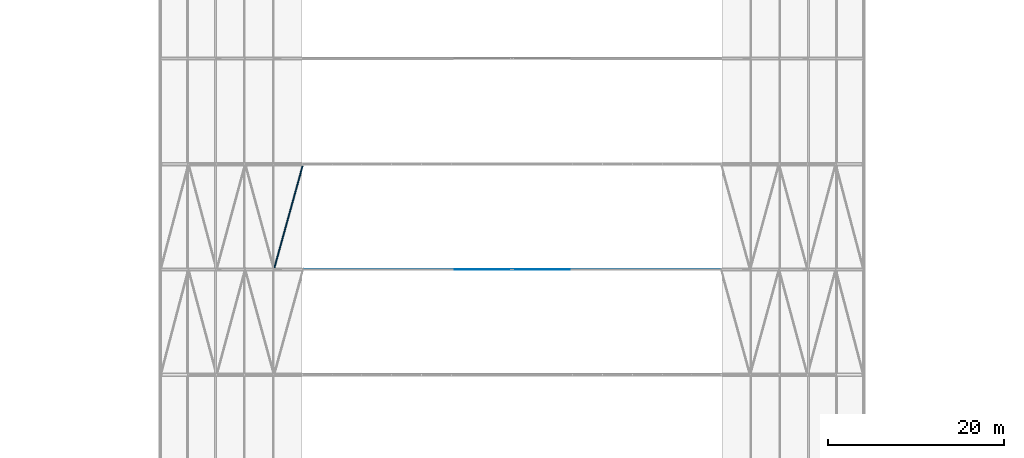
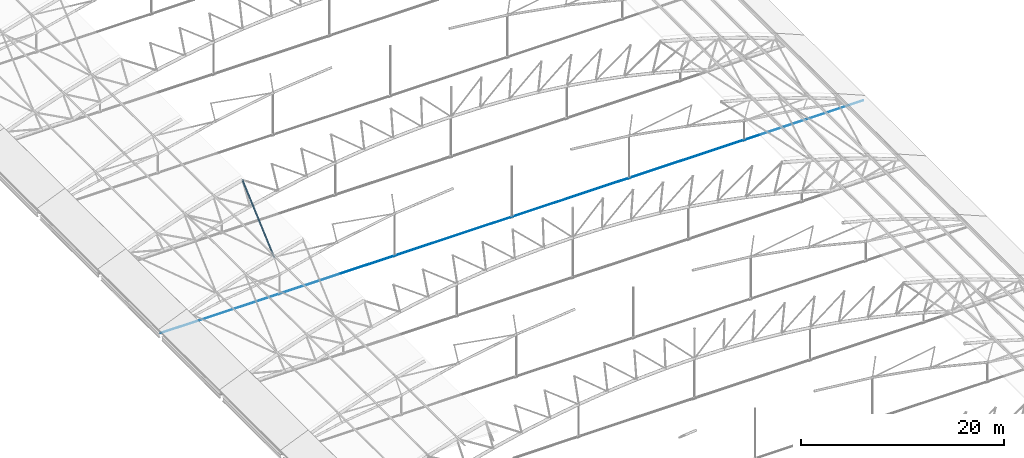
# One storey, part 81 of 321: 2 members.
"""IFC4 building model written with IfcOpenShell, lengths in metres."""

from ifc_helpers import new_model, si_unit, direction, frame, origin, origin_2d, place, context, subcontext, project, spatial, circle, hollow_circle, extrude, material, material_profile, profile_set, type_object, element, save


model = new_model("IFC4")

# Units and contexts
model_context = context("Model", 3, precision=1e-05, world=origin(), true_north=direction((0.0, 1.0)))
body_context = subcontext(model_context, "Body", "Model", "MODEL_VIEW")
ifc_project = project(units=[si_unit("LENGTHUNIT", "METRE"), si_unit("AREAUNIT", "SQUARE_METRE"), si_unit("VOLUMEUNIT", "CUBIC_METRE"), si_unit("PLANEANGLEUNIT", "RADIAN"), si_unit("MASSUNIT", "GRAM", prefix="KILO")], contexts=[model_context])

# Site, building, storey
site_placement = place(None, origin())
site = spatial("IfcSite", under=ifc_project, at=site_placement, CompositionType="ELEMENT")
building_placement = place(site_placement, origin())
building = spatial("IfcBuilding", under=site, at=building_placement, Name="Ravi Spectrum Wholesale Market", CompositionType="ELEMENT")
storey_placement = place(building_placement, frame((0.0, 0.0, 10.800048828125)))
storey = spatial("IfcBuildingStorey", under=building, at=storey_placement, Name="L02", CompositionType="ELEMENT", Elevation=10.800048828125)

# Members
ifc_material_1 = material(Name="Steel S355", Category="steel")
ifc_material_profile_1 = material_profile(ifc_material_1, hollow_circle(Radius=0.096923828125, WallThickness=0.00634765625, at=origin_2d()))
ifc_profile_set_1 = profile_set([ifc_material_profile_1], Name="Steel S355")
member_type_1 = type_object("IfcMemberType", Name="CHS 193.7x6.3 brace", PredefinedType="BRACE", material=ifc_profile_set_1)
member_1_placement = place(storey_placement, frame((42.896240234375, 114.0, 4.661376953125), z_axis=(0.26624914117, 0.961478053543, 0.068347255841), x_axis=(-0.963731651121, 0.266873199532, 0.0)))
element("IfcMember", 1, at=member_1_placement, inside=storey, type_object=member_type_1, Name="H1-MB-L02-1660", PredefinedType="BRACE", context=body_context, shape_type="SweptSolid", body=[
    extrude(hollow_circle(Radius=0.096923828125, WallThickness=0.00634765625, at=origin_2d()), origin(), (0.0, 0.0, 1.0), 12.480712890625),
])
ifc_material_2 = material(Name="Steel S460", Category="steel")
ifc_material_profile_2 = material_profile(ifc_material_2, circle(Radius=0.034912109375, at=origin_2d()))
ifc_profile_set_2 = profile_set([ifc_material_profile_2], Name="Steel S460")
member_type_2 = type_object("IfcMemberType", Name="ROD 70 tie", PredefinedType="BRACE", material=ifc_profile_set_2)
member_2_placement = place(storey_placement, frame((29.98974609375, 114.0, 0.023193359375), z_axis=(1.0, 0.0, 0.0), x_axis=(0.0, 1.0, 0.0)))
element("IfcMember", 2, at=member_2_placement, inside=storey, type_object=member_type_2, Name="H1-MB-L02-643", PredefinedType="BRACE", context=body_context, shape_type="SweptSolid", body=[
    extrude(circle(Radius=0.034912109375, at=origin_2d()), origin(), (0.0, 0.0, 1.0), 80.0205078125),
])

save(model, "model.ifc")
